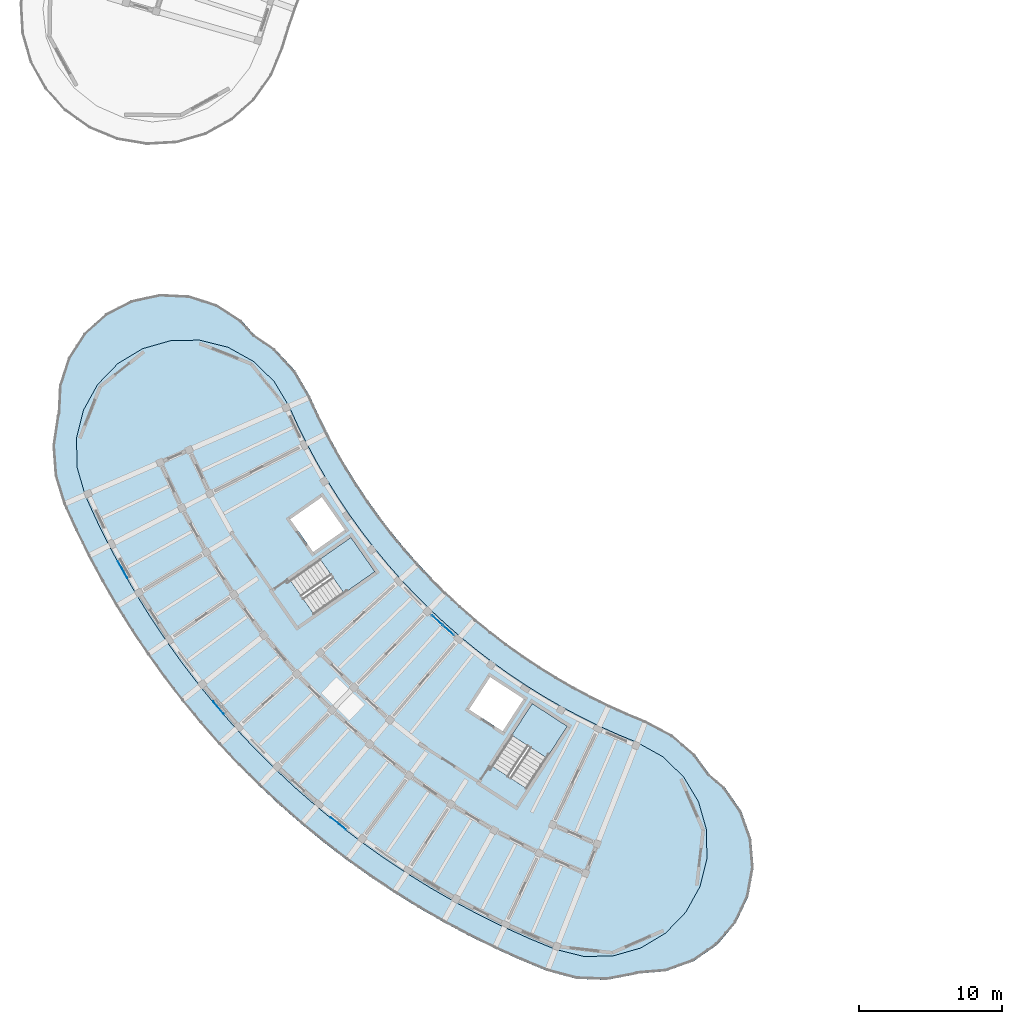
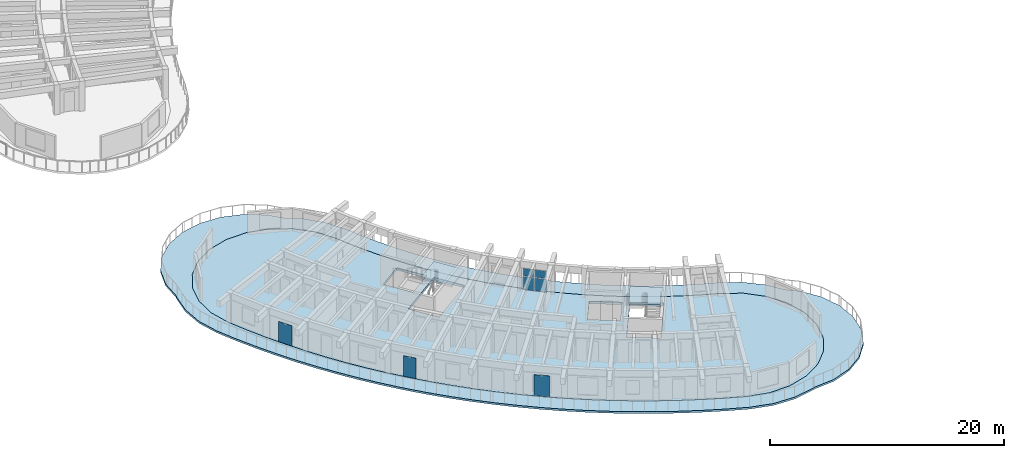
# One storey, part 16 of 56: 7 plates, 4 slabs, 3 elements without a shape of their own.
"""IFC4 building model written with IfcOpenShell, lengths in metres."""

from ifc_helpers import new_model, si_unit, direction, frame, origin, origin_2d, place, context, subcontext, project, spatial, polyline, rectangle, outline, extrude, material, layer, layer_set, type_object, element, aggregate, save


model = new_model("IFC4")

# Units and contexts
model_context = context("Model", 3, precision=1e-05, world=origin(), true_north=direction((0.0, 1.0)))
body_context = subcontext(model_context, "Body", "Model", "MODEL_VIEW")
ifc_project = project(units=[si_unit("LENGTHUNIT", "METRE"), si_unit("AREAUNIT", "SQUARE_METRE"), si_unit("VOLUMEUNIT", "CUBIC_METRE"), si_unit("PLANEANGLEUNIT", "RADIAN"), si_unit("MASSUNIT", "GRAM", prefix="KILO")], contexts=[model_context])

# Site, building, storey
site_placement = place(None, origin())
site = spatial("IfcSite", under=ifc_project, at=site_placement, CompositionType="ELEMENT")
building_placement = place(site_placement, origin())
building = spatial("IfcBuilding", under=site, at=building_placement, Name="Tanwirah Colonnade Gardens", CompositionType="ELEMENT")
storey_placement = place(building_placement, frame((0.0, 0.0, 29.0)))
storey = spatial("IfcBuildingStorey", under=building, at=storey_placement, Name="L08", CompositionType="ELEMENT", Elevation=29.0)

# Curtain wall, plates
ifc_material_1 = material(Name="Bronze-anodised aluminium and solar-control low-E glass", Category="aluminium")
curtain_wall_type = type_object("IfcCurtainWallType", Name="CW-GDN", PredefinedType="NOTDEFINED", material=ifc_material_1)
curtain_wall_placement = place(storey_placement, origin())
curtain_wall = element("IfcCurtainWall", 1, at=curtain_wall_placement, inside=storey, type_object=curtain_wall_type, Name="Curtain Wall CW-C-L08-IN-08", PredefinedType="NOTDEFINED")
ifc_material_2 = material(Name="Insulated bronze aluminium spandrel panel", Category="aluminium")
ifc_layer_1 = layer(ifc_material_2, 0.035888671875)
ifc_layer_set_1 = layer_set([ifc_layer_1], Name="Insulated bronze aluminium spandrel panel")
plate_type_1 = type_object("IfcPlateType", Name="CWP-SPN36", PredefinedType="CURTAIN_PANEL", material=ifc_layer_set_1)
plate_1_placement = place(storey_placement, frame((34.807373046875, 31.906005859375, 0.06494140625), z_axis=(0.0, 0.0, 1.0), x_axis=(0.741682643058, -0.670750964954, 0.0)))
plate_1 = element("IfcPlate", 2, at=plate_1_placement, type_object=plate_type_1, Name="CW-GDN panel 1.1", PredefinedType="CURTAIN_PANEL", context=body_context, shape_type="SweptSolid", body=[
    extrude(rectangle(XDim=0.996826171875, YDim=0.035888671875, at=origin_2d()), origin(), (0.0, 0.0, 1.0), 1.362548828125),
])
plate_2_placement = place(storey_placement, frame((34.807373046875, 31.906005859375, 1.49267578125), z_axis=(0.0, 0.0, 1.0), x_axis=(0.741682643058, -0.670750964954, 0.0)))
plate_2 = element("IfcPlate", 3, at=plate_2_placement, type_object=plate_type_1, Name="CW-GDN panel 1.2", PredefinedType="CURTAIN_PANEL", context=body_context, shape_type="SweptSolid", body=[
    extrude(rectangle(XDim=0.996826171875, YDim=0.035888671875, at=origin_2d()), origin(), (0.0, 0.0, 1.0), 0.79736328125),
])
plate_3_placement = place(storey_placement, frame((35.594970703125, 31.193603515625, 0.06494140625), z_axis=(0.0, 0.0, 1.0), x_axis=(0.741682643058, -0.670750964954, 0.0)))
plate_3 = element("IfcPlate", 4, at=plate_3_placement, type_object=plate_type_1, Name="CW-GDN panel 2.1", PredefinedType="CURTAIN_PANEL", context=body_context, shape_type="SweptSolid", body=[
    extrude(rectangle(XDim=0.996826171875, YDim=0.035888671875, at=origin_2d()), origin(), (0.0, 0.0, 1.0), 1.362548828125),
])
plate_4_placement = place(storey_placement, frame((35.594970703125, 31.193603515625, 1.49267578125), z_axis=(0.0, 0.0, 1.0), x_axis=(0.741682643058, -0.670750964954, 0.0)))
plate_4 = element("IfcPlate", 5, at=plate_4_placement, type_object=plate_type_1, Name="CW-GDN panel 2.2", PredefinedType="CURTAIN_PANEL", context=body_context, shape_type="SweptSolid", body=[
    extrude(rectangle(XDim=0.996826171875, YDim=0.035888671875, at=origin_2d()), origin(), (0.0, 0.0, 1.0), 0.79736328125),
])
aggregate(curtain_wall, [plate_1, plate_2, plate_3, plate_4])

# Plates
ifc_material_3 = material(Name="Laser-cut bronze aluminium solar screen plate", Category="aluminium")
ifc_layer_2 = layer(ifc_material_3, 0.01611328125)
ifc_layer_set_2 = layer_set([ifc_layer_2], Name="Laser-cut bronze aluminium solar screen plate")
plate_type_2 = type_object("IfcPlateType", Name="PLT-SCR16", PredefinedType="SHEET", material=ifc_layer_set_2)
plate_5_placement = place(storey_placement, frame((12.802734375, 35.451904296875, 0.0), z_axis=(0.0, 0.0, 1.0), x_axis=(0.486716582508, -0.873559939736, 0.0)))
element("IfcPlate", 6, at=plate_5_placement, inside=storey, type_object=plate_type_2, Name="Perforated solar screen plate C-L08-03", PredefinedType="SHEET", context=body_context, shape_type="SweptSolid", body=[
    extrude(rectangle(XDim=1.35009765625, YDim=0.01611328125, at=origin_2d()), origin(), (0.0, 0.0, 1.0), 2.110107421875),
])
plate_6_placement = place(storey_placement, frame((19.511474609375, 25.78125, 0.0), z_axis=(0.0, 0.0, 1.0), x_axis=(0.647788628629, -0.761820118282, 0.0)))
element("IfcPlate", 7, at=plate_6_placement, inside=storey, type_object=plate_type_2, Name="Perforated solar screen plate C-L08-06", PredefinedType="SHEET", context=body_context, shape_type="SweptSolid", body=[
    extrude(rectangle(XDim=1.14990234375, YDim=0.01611328125, at=origin_2d()), origin(), (0.0, 0.0, 1.0), 2.14990234375),
])
plate_7_placement = place(storey_placement, frame((27.892333984375, 17.68798828125, 0.0), z_axis=(0.0, 0.0, 1.0), x_axis=(0.78396556, -0.620804317586, 0.0)))
element("IfcPlate", 8, at=plate_7_placement, inside=storey, type_object=plate_type_2, Name="Perforated solar screen plate C-L08-09", PredefinedType="SHEET", context=body_context, shape_type="SweptSolid", body=[
    extrude(rectangle(XDim=1.35009765625, YDim=0.01611328125, at=origin_2d()), origin(), (0.0, 0.0, 1.0), 2.199951171875),
])

# Slab
ifc_material_4 = material(Name="White architectural precast concrete C40/50", Category="concrete")
ifc_layer_3 = layer(ifc_material_4, 0.199951171875)
ifc_layer_set_3 = layer_set([ifc_layer_3], Name="White architectural precast concrete C40/50")
slab_type_1 = type_object("IfcSlabType", Name="SL-BAL-200", PredefinedType="FLOOR", material=ifc_layer_set_3)
slab_1_placement = place(storey_placement, frame((0.0, 0.0, -0.199951171875)))
element("IfcSlab", 9, at=slab_1_placement, inside=storey, type_object=slab_type_1, Name="Block C L08 Continuous White Balcony Ribbon", PredefinedType="FLOOR", context=body_context, shape_type="SweptSolid", body=[
    extrude(outline(polyline([(22.031982421875, 51.853759765625), (21.0986328125, 52.881591796875), (19.385986328125, 53.983154296875), (17.44677734375, 54.603759765625), (15.412841796875, 54.70166015625), (13.423095703125, 54.26953125), (11.61279296875, 53.337158203125), (10.105712890625, 51.968017578125), (9.004150390625, 50.255615234375), (8.38330078125, 48.31640625), (8.28857421875, 46.342041015625), (8.236328125, 46.209228515625), (7.919921875, 44.128173828125), (8.074462890625, 42.029052734375), (8.692626953125, 40.016845703125), (9.523681640625, 38.1875), (10.414306640625, 36.386474609375), (11.363525390625, 34.61572265625), (12.369873046875, 32.876708984375), (13.432861328125, 31.171630859375), (14.55078125, 29.502197265625), (15.722900390625, 27.870361328125), (16.94775390625, 26.277587890625), (18.22412109375, 24.725830078125), (19.550537109375, 23.216796875), (20.92578125, 21.751708984375), (22.347900390625, 20.33251953125), (23.81591796875, 18.960693359375), (25.327880859375, 17.637451171875), (26.882568359375, 16.364501953125), (28.477783203125, 15.143310546875), (30.1123046875, 13.974609375), (31.7841796875, 12.860107421875), (33.491455078125, 11.801025390625), (35.232666015625, 10.79833984375), (37.005615234375, 9.85302734375), (38.80859375, 8.966552734375), (40.6396484375, 8.13916015625), (42.496826171875, 7.372314453125), (44.529296875, 6.824951171875), (46.6328125, 6.74365234375), (48.701416015625, 7.132568359375), (48.832275390625, 7.189453125), (50.802001953125, 7.35302734375), (52.718505859375, 8.041015625), (54.3916015625, 9.20166015625), (55.707275390625, 10.755859375), (56.57568359375, 12.597412109375), (56.93798828125, 14.60107421875), (56.76953125, 16.63037109375), (56.081298828125, 18.546875), (54.920654296875, 20.219970703125), (53.861083984375, 21.116943359375), (52.840576171875, 22.50341796875), (51.246826171875, 23.87841796875), (49.386962890625, 24.8642578125), (48.0986328125, 25.396240234375), (46.828125, 25.97021484375), (45.5771484375, 26.58544921875), (44.34716796875, 27.2412109375), (43.13916015625, 27.93701171875), (41.95458984375, 28.671630859375), (40.794677734375, 29.445068359375), (39.66064453125, 30.255615234375), (38.5537109375, 31.10302734375), (37.47509765625, 31.986328125), (36.426025390625, 32.904296875), (35.407470703125, 33.856201171875), (34.420654296875, 34.8408203125), (33.466796875, 35.857177734375), (32.54638671875, 36.904296875), (31.660888671875, 37.98095703125), (30.81103515625, 39.0859375), (29.997802734375, 40.218017578125), (29.22216796875, 41.37646484375), (28.484619140625, 42.559326171875), (27.786376953125, 43.765869140625), (27.1279296875, 44.99462890625), (26.510009765625, 46.244140625), (25.933349609375, 47.51318359375), (24.883056640625, 49.337646484375), (23.453369140625, 50.88232421875), (22.031982421875, 51.853759765625)]), holes=[polyline([(23.4013671875, 48.608154296875), (24.4482421875, 46.865966796875), (25.046142578125, 45.55029296875), (25.04638671875, 45.549560546875), (25.6875, 44.253173828125), (25.687744140625, 44.25244140625), (26.37109375, 42.977783203125), (26.371337890625, 42.97705078125), (27.095947265625, 41.725341796875), (27.09619140625, 41.724853515625), (27.861328125, 40.497314453125), (27.86181640625, 40.496826171875), (28.66650390625, 39.294921875), (28.6669921875, 39.29443359375), (29.5107421875, 38.11962890625), (29.51123046875, 38.119140625), (30.392822265625, 36.97265625), (30.393310546875, 36.97216796875), (31.31201171875, 35.85498046875), (31.3125, 35.8544921875), (32.267333984375, 34.76806640625), (32.267822265625, 34.767578125), (33.257568359375, 33.713134765625), (33.258056640625, 33.712646484375), (34.281982421875, 32.69091796875), (34.282470703125, 32.690673828125), (35.339111328125, 31.702880859375), (35.339599609375, 31.70263671875), (36.42822265625, 30.75), (36.4287109375, 30.749755859375), (37.547607421875, 29.833251953125), (37.54833984375, 29.8330078125), (38.69677734375, 28.95361328125), (38.697265625, 28.953369140625), (39.873779296875, 28.112060546875), (39.874267578125, 28.111572265625), (41.077880859375, 27.309326171875), (41.078369140625, 27.30908203125), (42.307373046875, 26.546630859375), (42.30810546875, 26.54638671875), (43.5615234375, 25.824462890625), (43.56201171875, 25.82421875), (44.83837890625, 25.143798828125), (44.8388671875, 25.1435546875), (46.13671875, 24.505126953125), (46.137451171875, 24.5048828125), (47.45556640625, 23.909423828125), (47.4560546875, 23.9091796875), (48.7919921875, 23.357421875), (50.569580078125, 22.3720703125), (52.030517578125, 20.96142578125), (53.076416015625, 19.220458984375), (53.63623046875, 17.268310546875), (53.671875, 15.237548828125), (53.180419921875, 13.26708984375), (52.19580078125, 11.49072265625), (50.784912109375, 10.02978515625), (49.044189453125, 8.983642578125), (47.091796875, 8.423828125), (45.061279296875, 8.388427734375), (43.089599609375, 8.880126953125), (41.282470703125, 9.626220703125), (39.499755859375, 10.431640625), (37.744384765625, 11.294921875), (36.01806640625, 12.21533203125), (34.322998046875, 13.19140625), (32.66064453125, 14.22265625), (31.03271484375, 15.3076171875), (29.44140625, 16.445556640625), (27.88818359375, 17.634521484375), (26.374755859375, 18.8740234375), (24.902587890625, 20.162109375), (23.473388671875, 21.497802734375), (22.088623046875, 22.879638671875), (20.749755859375, 24.305908203125), (19.458251953125, 25.775146484375), (18.215576171875, 27.2861328125), (17.023193359375, 28.836669921875), (15.8818359375, 30.425537109375), (14.79345703125, 32.051025390625), (13.758544921875, 33.7109375), (12.778564453125, 35.404052734375), (11.8544921875, 37.12841796875), (10.987548828125, 38.8818359375), (10.1787109375, 40.66162109375), (9.618408203125, 42.615234375), (9.5830078125, 44.645751953125), (10.074462890625, 46.616455078125), (11.05908203125, 48.392578125), (12.4697265625, 49.853515625), (14.210693359375, 50.899658203125), (16.162841796875, 51.45947265625), (18.193603515625, 51.494873046875), (20.164306640625, 51.00341796875), (21.9404296875, 50.018798828125), (23.4013671875, 48.608154296875)])]), origin(), (0.0, 0.0, 1.0), 0.199951171875),
])

# Stair, slab
ifc_material_5 = material(Name="Precast concrete C40/50", Category="concrete")
stair_type = type_object("IfcStairType", Name="ST-RES168", PredefinedType="HALF_TURN_STAIR", material=ifc_material_5)
stair_1_placement = place(storey_placement, origin())
stair_1 = element("IfcStair", 10, at=stair_1_placement, inside=storey, type_object=stair_type, Name="L08 Block C Core 1 Exit Stair", PredefinedType="HALF_TURN_STAIR")
ifc_layer_4 = layer(ifc_material_5, 0.205078125)
ifc_layer_set_4 = layer_set([ifc_layer_4], Name="Precast concrete C40/50")
slab_type_2 = type_object("IfcSlabType", Name="SL-LND-205", PredefinedType="LANDING", material=ifc_layer_set_4)
slab_2_placement = place(storey_placement, frame((0.0, 0.0, 1.47509765625)))
slab_2 = element("IfcSlab", 11, at=slab_2_placement, type_object=slab_type_2, Name="ST-C1 landing 1", PredefinedType="LANDING", context=body_context, shape_type="SweptSolid", body=[
    extrude(outline(polyline([(28.290283203125, 33.79052734375), (30.448974609375, 35.3017578125), (28.77392578125, 37.69384765625), (26.615478515625, 36.182373046875), (28.290283203125, 33.79052734375)])), origin(), (0.0, 0.0, 1.0), 0.204833984375),
])
aggregate(stair_1, [slab_2])

stair_2_placement = place(storey_placement, origin())
stair_2 = element("IfcStair", 12, at=stair_2_placement, inside=storey, type_object=stair_type, Name="L08 Block C Core 2 Exit Stair", PredefinedType="HALF_TURN_STAIR")
slab_3_placement = place(storey_placement, frame((0.0, 0.0, 1.47509765625)))
slab_3 = element("IfcSlab", 13, at=slab_3_placement, type_object=slab_type_2, Name="ST-C2 landing 1", PredefinedType="LANDING", context=body_context, shape_type="SweptSolid", body=[
    extrude(outline(polyline([(42.467529296875, 22.27490234375), (43.902587890625, 24.48486328125), (41.45361328125, 26.0751953125), (40.0185546875, 23.865234375), (42.467529296875, 22.27490234375)])), origin(), (0.0, 0.0, 1.0), 0.204833984375),
])
aggregate(stair_2, [slab_3])

# Slab
ifc_layer_5 = layer(ifc_material_5, 0.25)
ifc_layer_set_5 = layer_set([ifc_layer_5], Name="Precast concrete C40/50")
slab_type_3 = type_object("IfcSlabType", Name="SL-RES-250", PredefinedType="FLOOR", material=ifc_layer_set_5)
slab_4_placement = place(storey_placement, frame((0.0, 0.0, -0.25)))
element("IfcSlab", 14, at=slab_4_placement, inside=storey, type_object=slab_type_3, Name="Block C L08 Precast Composite Floor Slab", PredefinedType="FLOOR", context=body_context, shape_type="SweptSolid", body=[
    extrude(outline(polyline([(25.705322265625, 44.261962890625), (25.064208984375, 45.55859375), (24.466064453125, 46.875244140625), (23.417236328125, 48.62060546875), (21.952392578125, 50.03515625), (20.171630859375, 51.022216796875), (18.19580078125, 51.514892578125), (16.159912109375, 51.4794921875), (14.20263671875, 50.918212890625), (12.457275390625, 49.869384765625), (11.042724609375, 48.40478515625), (10.0556640625, 46.623779296875), (9.56298828125, 44.64794921875), (9.5986328125, 42.612060546875), (10.159912109375, 40.65478515625), (10.969482421875, 38.873291015625), (11.836669921875, 37.119140625), (12.76123046875, 35.394287109375), (13.741455078125, 33.70068359375), (14.776611328125, 32.0400390625), (15.865478515625, 30.414306640625), (17.007080078125, 28.82470703125), (18.199951171875, 27.273681640625), (19.443115234375, 25.76220703125), (20.73486328125, 24.29248046875), (22.07421875, 22.86572265625), (23.45947265625, 21.4833984375), (24.88916015625, 20.1474609375), (26.36181640625, 18.858642578125), (27.875732421875, 17.618896484375), (29.4296875, 16.429443359375), (31.021484375, 15.291259765625), (32.649658203125, 14.205810546875), (34.312744140625, 13.17431640625), (36.00830078125, 12.19775390625), (37.735107421875, 11.277099609375), (39.4912109375, 10.41357421875), (41.2744140625, 9.60791015625), (43.083251953125, 8.861083984375), (45.058837890625, 8.368408203125), (47.094970703125, 8.404052734375), (49.05224609375, 8.96533203125), (50.797607421875, 10.013916015625), (52.2119140625, 11.478759765625), (53.19921875, 13.259521484375), (53.69189453125, 15.2353515625), (53.65625, 17.271240234375), (53.094970703125, 19.228515625), (52.04638671875, 20.973876953125), (50.58154296875, 22.388427734375), (48.800537109375, 23.37548828125), (47.4638671875, 23.927490234375), (46.145751953125, 24.523193359375), (44.84765625, 25.161376953125), (43.571533203125, 25.841796875), (42.318115234375, 26.563720703125), (41.0888671875, 27.326171875), (39.885498046875, 28.12841796875), (38.708740234375, 28.969482421875), (37.560302734375, 29.848876953125), (36.44140625, 30.76513671875), (35.352783203125, 31.717529296875), (34.296142578125, 32.705078125), (33.272216796875, 33.726806640625), (32.282470703125, 34.781494140625), (31.327392578125, 35.86767578125), (30.40869140625, 36.98486328125), (29.52685546875, 38.13134765625), (28.68310546875, 39.30615234375), (27.87841796875, 40.5078125), (27.11328125, 41.7353515625), (26.388671875, 42.987060546875), (25.705322265625, 44.261962890625)]), holes=[polyline([(24.5185546875, 34.71044921875), (28.775634765625, 37.69140625), (30.447021484375, 35.30419921875), (26.18994140625, 32.323486328125), (24.5185546875, 34.71044921875)]), polyline([(26.737060546875, 40.515869140625), (28.343017578125, 38.22216796875), (26.13134765625, 36.673583984375), (24.525390625, 38.967041015625), (26.737060546875, 40.515869140625)]), polyline([(43.900146484375, 24.486572265625), (41.069580078125, 20.1279296875), (38.625732421875, 21.715087890625), (41.4560546875, 26.073486328125), (43.900146484375, 24.486572265625)]), polyline([(39.385498046875, 24.13916015625), (37.037353515625, 25.664306640625), (38.5078125, 27.9287109375), (40.856201171875, 26.403564453125), (39.385498046875, 24.13916015625)])]), origin(), (0.0, 0.0, 1.0), 0.25),
])

save(model, "model.ifc")
